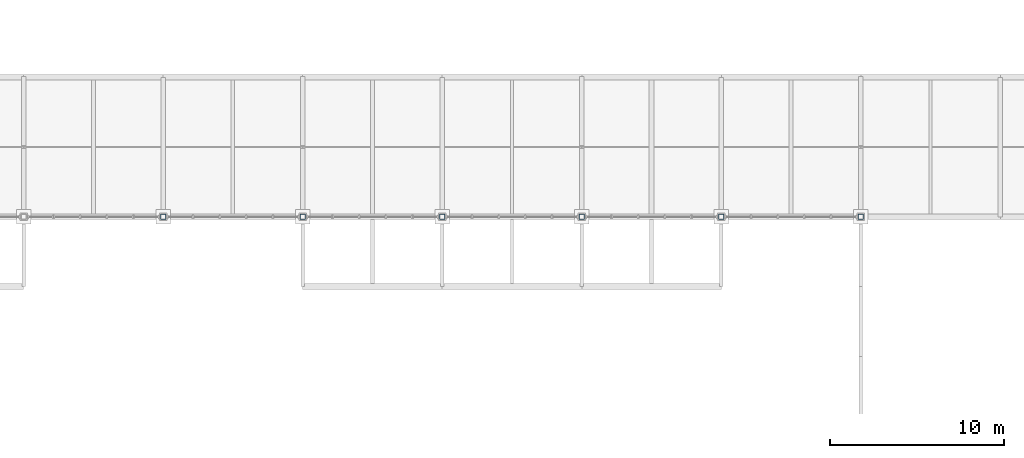
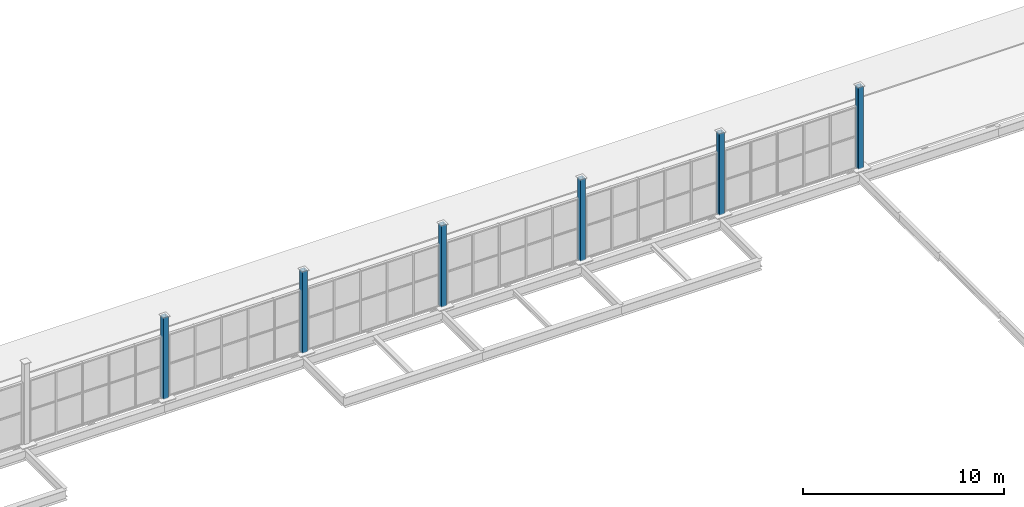
# One storey, part 9 of 96: 6 columns.
"""IFC4 building model written with IfcOpenShell, lengths in metres."""

from ifc_helpers import new_model, si_unit, direction, frame, origin, origin_2d, place, context, subcontext, project, spatial, hollow_rectangle, extrude, material, material_profile, profile_set, type_object, element, save


model = new_model("IFC4")

# Units and contexts
model_context = context("Model", 3, precision=1e-05, world=origin(), true_north=direction((0.0, 1.0)))
body_context = subcontext(model_context, "Body", "Model", "MODEL_VIEW")
ifc_project = project(units=[si_unit("LENGTHUNIT", "METRE"), si_unit("AREAUNIT", "SQUARE_METRE"), si_unit("VOLUMEUNIT", "CUBIC_METRE"), si_unit("PLANEANGLEUNIT", "RADIAN"), si_unit("MASSUNIT", "GRAM", prefix="KILO")], contexts=[model_context])

# Site, building, storey
site_placement = place(None, origin())
site = spatial("IfcSite", under=ifc_project, at=site_placement, CompositionType="ELEMENT")
building_placement = place(site_placement, origin())
building = spatial("IfcBuilding", under=site, at=building_placement, Name="Verrall Gate Interchange", CompositionType="ELEMENT")
storey_placement = place(building_placement, frame((0.0, 0.0, 11.39990234375)))
storey = spatial("IfcBuildingStorey", under=building, at=storey_placement, Name="L03", CompositionType="ELEMENT", Elevation=11.39990234375)

# Columns
ifc_material = material(Name="Structural Steel CSA G40.21 350WT Cat 4", Category="steel")
ifc_material_profile = material_profile(ifc_material, hollow_rectangle(XDim=0.304931640625, YDim=0.304931640625, WallThickness=0.0126953125, InnerFilletRadius=0.0126953125, OuterFilletRadius=0.025390625, at=origin_2d()), Name="HSS305x305x13")
ifc_profile_set = profile_set([ifc_material_profile], Name="Structural Steel CSA G40.21 350WT Cat 4")
column_type = type_object("IfcColumnType", Name="C-12 Column HSS305x305x13", PredefinedType="COLUMN", material=ifc_profile_set)
for number, where, z_axis, x_axis, name in (
    (1, (68.0, 48.0, 0.0), (0.0, 0.0, 1.0), (1.0, 0.0, 0.0), "Grand Concourse Roof Pier Column COL-L03-V1R-1518"),
    (2, (76.0, 48.0, 0.0), (0.0, 0.0, 1.0), (1.0, 0.0, 0.0), "Grand Concourse Roof Pier Column COL-L03-V1R-1520"),
    (3, (84.0, 48.0, 0.0), (0.0, 0.0, 1.0), (1.0, 0.0, 0.0), "Grand Concourse Roof Pier Column COL-L03-V1R-1522"),
    (4, (92.0, 48.0, 0.0), (0.0, 0.0, 1.0), (1.0, 0.0, 0.0), "Grand Concourse Roof Pier Column COL-L03-V1R-1524"),
    (5, (100.0, 48.0, 0.0), (0.0, 0.0, 1.0), (1.0, 0.0, 0.0), "Grand Concourse Roof Pier Column COL-L03-V1R-1526"),
    (6, (108.0, 48.0, 0.0), (0.0, 0.0, 1.0), (1.0, 0.0, 0.0), "Grand Concourse Roof Pier Column COL-L03-V1R-1528"),
):
    element("IfcColumn", number, at=place(storey_placement, frame(where, z_axis=z_axis, x_axis=x_axis)), inside=storey, type_object=column_type, Name=name, PredefinedType="COLUMN", context=body_context, shape_type="SweptSolid", body=[
        extrude(hollow_rectangle(XDim=0.304931640625, YDim=0.304931640625, WallThickness=0.0126953125, InnerFilletRadius=0.0126953125, OuterFilletRadius=0.025390625, at=origin_2d()), origin(), (0.0, 0.0, 1.0), 4.960205078125),
    ])

save(model, "model.ifc")
